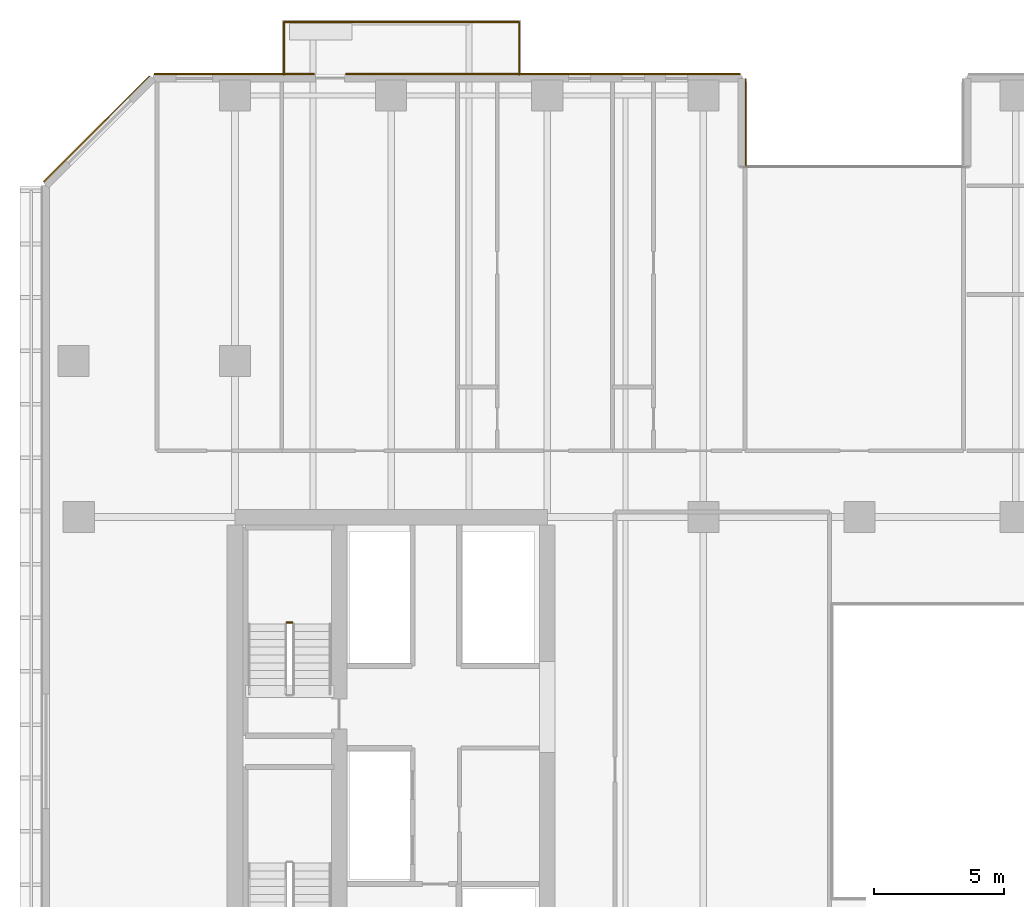
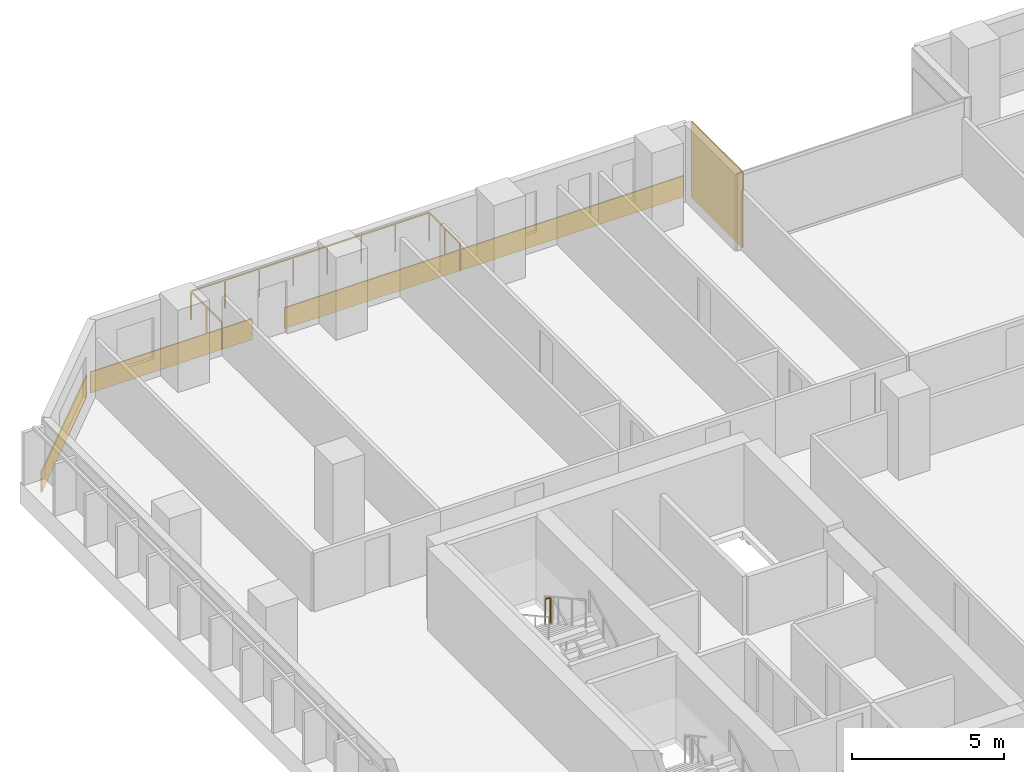
# One storey, part 22 of 26: 4 coverings, 2 railings.
"""IFC4 building model written with IfcOpenShell, lengths in metres."""

from ifc_helpers import new_model, si_unit, direction, frame, origin, origin_2d, place, context, subcontext, project, spatial, rectangle, extrude, material, layer, layer_set, type_object, element, save


model = new_model("IFC4")

# Units and contexts
model_context = context("Model", 3, precision=1e-05, world=origin(), true_north=direction((0.0, 1.0)))
body_context = subcontext(model_context, "Body", "Model", "MODEL_VIEW")
ifc_project = project(units=[si_unit("LENGTHUNIT", "METRE"), si_unit("AREAUNIT", "SQUARE_METRE"), si_unit("VOLUMEUNIT", "CUBIC_METRE"), si_unit("PLANEANGLEUNIT", "RADIAN"), si_unit("MASSUNIT", "GRAM", prefix="KILO")], contexts=[model_context])

# Site, building, storey
site_placement = place(None, origin())
site = spatial("IfcSite", under=ifc_project, at=site_placement, CompositionType="ELEMENT")
building_placement = place(site_placement, origin())
building = spatial("IfcBuilding", under=site, at=building_placement, Name="Tanjung Sevakor Pilgrim Tower", CompositionType="ELEMENT")
storey_placement = place(building_placement, frame((0.0, 0.0, 48.840087890625)))
storey = spatial("IfcBuildingStorey", under=building, at=storey_placement, Name="L13", CompositionType="ELEMENT", Elevation=48.840087890625)

# Coverings
ifc_material_1 = material(Name="Reconstructed Limestone Cladding", Category="masonry")
ifc_layer = layer(ifc_material_1, 0.044921875)
ifc_layer_set = layer_set([ifc_layer], Name="COV-CLAD-LIMESTONE")
covering_type = type_object("IfcCoveringType", Name="COV-CLAD-LIMESTONE", PredefinedType="CLADDING", material=ifc_layer_set)
covering_1_placement = place(storey_placement, frame((43.62255859375, 57.760009765625, 0.019775390625), z_axis=(0.0, 0.0, 1.0), x_axis=(0.0, 1.0, 0.0)))
element("IfcCovering", 1, at=covering_1_placement, inside=storey, type_object=covering_type, Name="L13 Warm Limestone Wall Cladding EW-L13-MAIN-12", PredefinedType="CLADDING", context=body_context, shape_type="SweptSolid", body=[
    extrude(rectangle(XDim=3.360107421875, YDim=0.044921875, at=origin_2d()), origin(), (0.0, 0.0, 1.0), 3.0400390625),
])
covering_2_placement = place(storey_placement, frame((35.840087890625, 59.62255859375, 0.009765625), z_axis=(0.0, 0.0, 1.0), x_axis=(-1.0, 0.0, 0.0)))
element("IfcCovering", 2, at=covering_2_placement, inside=storey, type_object=covering_type, Name="L13 Warm Limestone Sill Spandrel EW-L13-MAIN-13-1", PredefinedType="CLADDING", context=body_context, shape_type="SweptSolid", body=[
    extrude(rectangle(XDim=15.159912109375, YDim=0.044921875, at=origin_2d()), origin(), (0.0, 0.0, 1.0), 0.840087890625),
])
covering_3_placement = place(storey_placement, frame((23.968994140625, 59.62255859375, 0.009765625), z_axis=(0.0, 0.0, 1.0), x_axis=(-1.0, 0.0, 0.0)))
element("IfcCovering", 3, at=covering_3_placement, inside=storey, type_object=covering_type, Name="L13 Warm Limestone Sill Spandrel EW-L13-MAIN-13-2", PredefinedType="CLADDING", context=body_context, shape_type="SweptSolid", body=[
    extrude(rectangle(XDim=6.14208984375, YDim=0.044921875, at=origin_2d()), origin(), (0.0, 0.0, 1.0), 0.840087890625),
])
covering_4_placement = place(storey_placement, frame((18.68408203125, 57.515869140625, 0.009765625), z_axis=(0.0, 0.0, 1.0), x_axis=(-0.707106781187, -0.707106781187, 0.0)))
element("IfcCovering", 4, at=covering_4_placement, inside=storey, type_object=covering_type, Name="L13 Warm Limestone Sill Spandrel EW-CHM-L13-MAIN-13-1", PredefinedType="CLADDING", context=body_context, shape_type="SweptSolid", body=[
    extrude(rectangle(XDim=5.74365234375, YDim=0.044921875, at=origin_2d()), origin(), (0.0, 0.0, 1.0), 0.840087890625),
])

# Railings
ifc_material_2 = material(Name="Laminated Glass and Aluminium", Category="aluminium")
railing_type_1 = type_object("IfcRailingType", Name="RL-BAL-BALUST", PredefinedType="BALUSTRADE", material=ifc_material_2)
railing_1_placement = place(storey_placement, frame((25.8798828125, 59.60009765625, 0.0)))
element("IfcRailing", 5, at=railing_1_placement, inside=storey, type_object=railing_type_1, Name="L13 Loggia Balustrade MAIN-N1", PredefinedType="BALUSTRADE", context=body_context, shape_type="SweptSolid", body=[
    extrude(rectangle(XDim=0.0479, YDim=0.0479), frame((0.0, 0.0, 1.1259765625), z_axis=(0.0, 1.0, 0.0), x_axis=(-1.0, 0.0, 0.0)), (0.0, 0.0, 1.0), 2.02001953125),
    extrude(rectangle(XDim=0.0479, YDim=0.0479), frame((0.0, 2.02001953125, 1.1259765625), z_axis=(1.0, 0.0, 0.0), x_axis=(0.0, 1.0, 0.0)), (0.0, 0.0, 1.0), 9.0400390625),
    extrude(rectangle(XDim=0.0479, YDim=0.0479), frame((9.0400390625, 2.02001953125, 1.1259765625), z_axis=(0.0, -1.0, 0.0), x_axis=(1.0, 0.0, 0.0)), (0.0, 0.0, 1.0), 2.02001953125),
    extrude(rectangle(XDim=0.042, YDim=0.042), origin(), (0.0, 0.0, 1.0), 1.101806640625),
    extrude(rectangle(XDim=0.042, YDim=0.042), frame((0.0, 1.010009765625, 0.0)), (0.0, 0.0, 1.0), 1.101806640625),
    extrude(rectangle(XDim=0.042, YDim=0.042), frame((0.0, 2.02001953125, 0.0)), (0.0, 0.0, 1.0), 1.101806640625),
    extrude(rectangle(XDim=0.042, YDim=0.042), frame((1.29150390625, 2.02001953125, 0.0)), (0.0, 0.0, 1.0), 1.101806640625),
    extrude(rectangle(XDim=0.042, YDim=0.042), frame((2.582763671875, 2.02001953125, 0.0)), (0.0, 0.0, 1.0), 1.101806640625),
    extrude(rectangle(XDim=0.042, YDim=0.042), frame((3.874267578125, 2.02001953125, 0.0)), (0.0, 0.0, 1.0), 1.101806640625),
    extrude(rectangle(XDim=0.042, YDim=0.042), frame((5.165771484375, 2.02001953125, 0.0)), (0.0, 0.0, 1.0), 1.101806640625),
    extrude(rectangle(XDim=0.042, YDim=0.042), frame((6.457275390625, 2.02001953125, 0.0)), (0.0, 0.0, 1.0), 1.101806640625),
    extrude(rectangle(XDim=0.042, YDim=0.042), frame((7.74853515625, 2.02001953125, 0.0)), (0.0, 0.0, 1.0), 1.101806640625),
    extrude(rectangle(XDim=0.042, YDim=0.042), frame((9.0400390625, 2.02001953125, 0.0)), (0.0, 0.0, 1.0), 1.101806640625),
    extrude(rectangle(XDim=0.042, YDim=0.042), frame((9.0400390625, 1.010009765625, 0.0)), (0.0, 0.0, 1.0), 1.101806640625),
    extrude(rectangle(XDim=0.042, YDim=0.042), frame((9.0400390625, 0.0, 0.0)), (0.0, 0.0, 1.0), 1.101806640625),
])
ifc_material_3 = material(Name="Steel S355J2", Category="steel")
railing_type_2 = type_object("IfcRailingType", Name="RL-STAIR-GUARD", PredefinedType="GUARDRAIL", material=ifc_material_3)
railing_2_placement = place(storey_placement, frame((26.199951171875, 38.550048828125, 1.64990234375)))
element("IfcRailing", 6, at=railing_2_placement, inside=storey, type_object=railing_type_2, Name="L13 TS-W2 stair guard 2", PredefinedType="GUARDRAIL", context=body_context, shape_type="SweptSolid", body=[
    extrude(rectangle(XDim=0.0479, YDim=0.0479), frame((0.0, 0.0, 1.076171875), z_axis=(-1.0, 0.0, 0.0), x_axis=(0.0, -1.0, 0.0)), (0.0, 0.0, 1.0), 0.199951171875),
    extrude(rectangle(XDim=0.042, YDim=0.042), origin(), (0.0, 0.0, 1.0), 1.052001953125),
    extrude(rectangle(XDim=0.042, YDim=0.042), frame((-0.199951171875, 0.0, 0.0)), (0.0, 0.0, 1.0), 1.052001953125),
])

save(model, "model.ifc")
